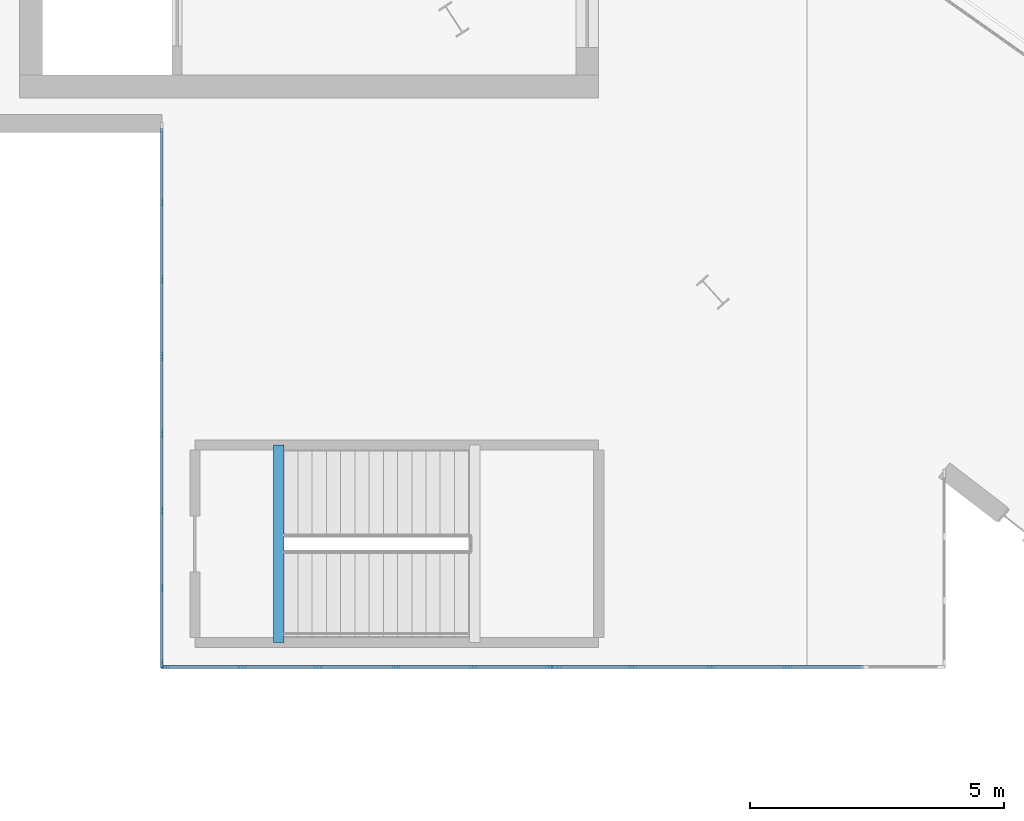
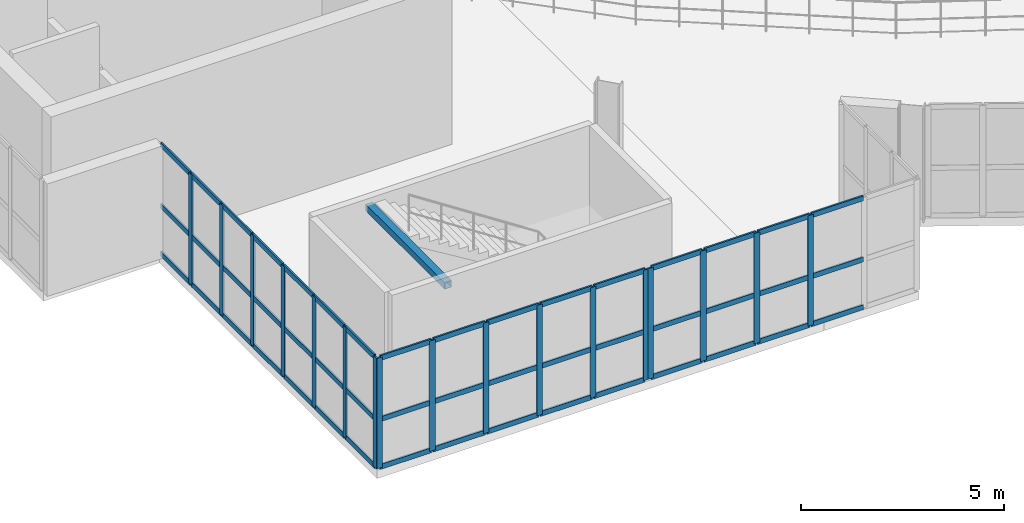
# One storey, part 7 of 40: 65 members, 1 beam, 3 elements without a shape of their own.
"""IFC4 building model written with IfcOpenShell, lengths in metres."""

from ifc_helpers import new_model, si_unit, direction, frame, origin, origin_2d, place, context, subcontext, project, spatial, rectangle, hollow_rectangle, extrude, material, material_profile, profile_set, type_object, element, aggregate, save


model = new_model("IFC4")

# Units and contexts
model_context = context("Model", 3, precision=1e-05, world=origin(), true_north=direction((0.0, 1.0)))
body_context = subcontext(model_context, "Body", "Model", "MODEL_VIEW")
ifc_project = project(units=[si_unit("LENGTHUNIT", "METRE"), si_unit("AREAUNIT", "SQUARE_METRE"), si_unit("VOLUMEUNIT", "CUBIC_METRE"), si_unit("PLANEANGLEUNIT", "RADIAN"), si_unit("MASSUNIT", "GRAM", prefix="KILO")], contexts=[model_context])

# Site, building, storey
site_placement = place(None, origin())
site = spatial("IfcSite", under=ifc_project, at=site_placement, CompositionType="ELEMENT")
building_placement = place(site_placement, origin())
building = spatial("IfcBuilding", under=site, at=building_placement, Name="Glasvene Arena", CompositionType="ELEMENT")
storey_placement = place(building_placement, frame((0.0, 0.0, 24.0)))
storey = spatial("IfcBuildingStorey", under=building, at=storey_placement, Name="L05", CompositionType="ELEMENT", Elevation=24.0)

# Beam
ifc_material_1 = material(Name="Steel S355J2", Category="steel")
ifc_material_profile_1 = material_profile(ifc_material_1, hollow_rectangle(XDim=0.199951171875, YDim=0.199951171875, WallThickness=0.010009765625, at=origin_2d()), Name="SHS 200x200x10.0")
ifc_profile_set_1 = profile_set([ifc_material_profile_1], Name="Steel S355J2")
beam_type = type_object("IfcBeamType", Name="BM-LINTEL-200", PredefinedType="LINTEL", material=ifc_profile_set_1)
beam_placement = place(storey_placement, frame((48.10009765625, 34.280029296875, 4.47998046875), z_axis=(0.0, 1.0, 0.0), x_axis=(-1.0, 0.0, 0.0)))
element("IfcBeam", 1, at=beam_placement, inside=storey, type_object=beam_type, Name="Roof stair arrival support beam ST-05", PredefinedType="LINTEL", context=body_context, shape_type="SweptSolid", body=[
    extrude(hollow_rectangle(XDim=0.199951171875, YDim=0.199951171875, WallThickness=0.010009765625, at=origin_2d()), origin(), (0.0, 0.0, 1.0), 3.889892578125),
])

# Curtain wall, members
ifc_material_2 = material(Name="Low-emissivity laminated double glazing", Category="glass")
curtain_wall_type_1 = type_object("IfcCurtainWallType", Name="CW-FAC-L05-1062x332", PredefinedType="USERDEFINED", material=ifc_material_2)
curtain_wall_1_placement = place(storey_placement, frame((45.800048828125, 33.840087890625, 0.0)))
curtain_wall_1 = element("IfcCurtainWall", 2, at=curtain_wall_1_placement, inside=storey, type_object=curtain_wall_type_1, Name="Unitised curtain wall CW-F-L05-150-458-392-0", ObjectType="CURTAIN WALL", PredefinedType="USERDEFINED")
ifc_material_3 = material(Name="Anodised architectural aluminium", Category="aluminium")
ifc_material_profile_2 = material_profile(ifc_material_3, rectangle(XDim=0.050048828125, YDim=0.159912109375, at=origin_2d()), Name="ALU MULLION 50x160")
ifc_profile_set_2 = profile_set([ifc_material_profile_2], Name="Anodised architectural aluminium")
member_type_1 = type_object("IfcMemberType", Name="CW-MUL-150", PredefinedType="MULLION", material=ifc_profile_set_2)
member_1_placement = place(storey_placement, frame((45.800048828125, 33.864990234375, 0.06005859375), z_axis=(0.0, 0.0, 1.0), x_axis=(-1.0, 0.0, 0.0)))
member_1 = element("IfcMember", 3, at=member_1_placement, type_object=member_type_1, Name="CW-054 mullion 1", PredefinedType="MULLION", context=body_context, shape_type="SweptSolid", body=[
    extrude(rectangle(XDim=0.050048828125, YDim=0.159912109375, at=origin_2d()), origin(), (0.0, 0.0, 1.0), 3.31982421875),
])
member_2_placement = place(storey_placement, frame((45.800048828125, 35.357177734375, 0.06005859375), z_axis=(0.0, 0.0, 1.0), x_axis=(-1.0, 0.0, 0.0)))
member_2 = element("IfcMember", 4, at=member_2_placement, type_object=member_type_1, Name="CW-054 mullion 2", PredefinedType="MULLION", context=body_context, shape_type="SweptSolid", body=[
    extrude(rectangle(XDim=0.050048828125, YDim=0.159912109375, at=origin_2d()), origin(), (0.0, 0.0, 1.0), 3.31982421875),
])
member_3_placement = place(storey_placement, frame((45.800048828125, 36.874267578125, 0.06005859375), z_axis=(0.0, 0.0, 1.0), x_axis=(-1.0, 0.0, 0.0)))
member_3 = element("IfcMember", 5, at=member_3_placement, type_object=member_type_1, Name="CW-054 mullion 3", PredefinedType="MULLION", context=body_context, shape_type="SweptSolid", body=[
    extrude(rectangle(XDim=0.050048828125, YDim=0.159912109375, at=origin_2d()), origin(), (0.0, 0.0, 1.0), 3.31982421875),
])
member_4_placement = place(storey_placement, frame((45.800048828125, 38.391357421875, 0.06005859375), z_axis=(0.0, 0.0, 1.0), x_axis=(-1.0, 0.0, 0.0)))
member_4 = element("IfcMember", 6, at=member_4_placement, type_object=member_type_1, Name="CW-054 mullion 4", PredefinedType="MULLION", context=body_context, shape_type="SweptSolid", body=[
    extrude(rectangle(XDim=0.050048828125, YDim=0.159912109375, at=origin_2d()), origin(), (0.0, 0.0, 1.0), 3.31982421875),
])
member_5_placement = place(storey_placement, frame((45.800048828125, 39.90869140625, 0.06005859375), z_axis=(0.0, 0.0, 1.0), x_axis=(-1.0, 0.0, 0.0)))
member_5 = element("IfcMember", 7, at=member_5_placement, type_object=member_type_1, Name="CW-054 mullion 5", PredefinedType="MULLION", context=body_context, shape_type="SweptSolid", body=[
    extrude(rectangle(XDim=0.050048828125, YDim=0.159912109375, at=origin_2d()), origin(), (0.0, 0.0, 1.0), 3.31982421875),
])
member_6_placement = place(storey_placement, frame((45.800048828125, 41.42578125, 0.06005859375), z_axis=(0.0, 0.0, 1.0), x_axis=(-1.0, 0.0, 0.0)))
member_6 = element("IfcMember", 8, at=member_6_placement, type_object=member_type_1, Name="CW-054 mullion 6", PredefinedType="MULLION", context=body_context, shape_type="SweptSolid", body=[
    extrude(rectangle(XDim=0.050048828125, YDim=0.159912109375, at=origin_2d()), origin(), (0.0, 0.0, 1.0), 3.31982421875),
])
member_7_placement = place(storey_placement, frame((45.800048828125, 42.94287109375, 0.06005859375), z_axis=(0.0, 0.0, 1.0), x_axis=(-1.0, 0.0, 0.0)))
member_7 = element("IfcMember", 9, at=member_7_placement, type_object=member_type_1, Name="CW-054 mullion 7", PredefinedType="MULLION", context=body_context, shape_type="SweptSolid", body=[
    extrude(rectangle(XDim=0.050048828125, YDim=0.159912109375, at=origin_2d()), origin(), (0.0, 0.0, 1.0), 3.31982421875),
])

curtain_wall_type_2 = type_object("IfcCurtainWallType", Name="CW-FAC-L05-762x332", PredefinedType="USERDEFINED", material=ifc_material_2)
curtain_wall_2_placement = place(storey_placement, frame((61.159912109375, 33.800048828125, 0.0)))
curtain_wall_2 = element("IfcCurtainWall", 10, at=curtain_wall_2_placement, inside=storey, type_object=curtain_wall_type_2, Name="Unitised curtain wall CW-F-L05-150-574-338-51", ObjectType="CURTAIN WALL", PredefinedType="USERDEFINED")
member_8_placement = place(storey_placement, frame((58.112060546875, 33.800048828125, 0.06005859375), z_axis=(0.0, 0.0, 1.0), x_axis=(0.0, -1.0, 0.0)))
member_8 = element("IfcMember", 11, at=member_8_placement, type_object=member_type_1, Name="CW-070 mullion 3", PredefinedType="MULLION", context=body_context, shape_type="SweptSolid", body=[
    extrude(rectangle(XDim=0.050048828125, YDim=0.159912109375, at=origin_2d()), origin(), (0.0, 0.0, 1.0), 3.31982421875),
])
member_9_placement = place(storey_placement, frame((56.587890625, 33.800048828125, 0.06005859375), z_axis=(0.0, 0.0, 1.0), x_axis=(0.0, -1.0, 0.0)))
member_9 = element("IfcMember", 12, at=member_9_placement, type_object=member_type_1, Name="CW-070 mullion 4", PredefinedType="MULLION", context=body_context, shape_type="SweptSolid", body=[
    extrude(rectangle(XDim=0.050048828125, YDim=0.159912109375, at=origin_2d()), origin(), (0.0, 0.0, 1.0), 3.31982421875),
])
member_10_placement = place(storey_placement, frame((55.06396484375, 33.800048828125, 0.06005859375), z_axis=(0.0, 0.0, 1.0), x_axis=(0.0, -1.0, 0.0)))
member_10 = element("IfcMember", 13, at=member_10_placement, type_object=member_type_1, Name="CW-070 mullion 5", PredefinedType="MULLION", context=body_context, shape_type="SweptSolid", body=[
    extrude(rectangle(XDim=0.050048828125, YDim=0.159912109375, at=origin_2d()), origin(), (0.0, 0.0, 1.0), 3.31982421875),
])
member_11_placement = place(storey_placement, frame((53.56494140625, 33.800048828125, 0.06005859375), z_axis=(0.0, 0.0, 1.0), x_axis=(0.0, -1.0, 0.0)))
member_11 = element("IfcMember", 14, at=member_11_placement, type_object=member_type_1, Name="CW-070 mullion 6", PredefinedType="MULLION", context=body_context, shape_type="SweptSolid", body=[
    extrude(rectangle(XDim=0.050048828125, YDim=0.159912109375, at=origin_2d()), origin(), (0.0, 0.0, 1.0), 3.31982421875),
])

curtain_wall_3_placement = place(storey_placement, frame((53.4599609375, 33.800048828125, 0.0)))
curtain_wall_3 = element("IfcCurtainWall", 15, at=curtain_wall_3_placement, inside=storey, type_object=curtain_wall_type_2, Name="Unitised curtain wall CW-F-L05-150-496-338-52", ObjectType="CURTAIN WALL", PredefinedType="USERDEFINED")
member_12_placement = place(storey_placement, frame((53.43505859375, 33.800048828125, 0.06005859375), z_axis=(0.0, 0.0, 1.0), x_axis=(0.0, -1.0, 0.0)))
member_12 = element("IfcMember", 16, at=member_12_placement, type_object=member_type_1, Name="CW-070 mullion 1", PredefinedType="MULLION", context=body_context, shape_type="SweptSolid", body=[
    extrude(rectangle(XDim=0.050048828125, YDim=0.159912109375, at=origin_2d()), origin(), (0.0, 0.0, 1.0), 3.31982421875),
])
member_13_placement = place(storey_placement, frame((51.93603515625, 33.800048828125, 0.06005859375), z_axis=(0.0, 0.0, 1.0), x_axis=(0.0, -1.0, 0.0)))
member_13 = element("IfcMember", 17, at=member_13_placement, type_object=member_type_1, Name="CW-070 mullion 2", PredefinedType="MULLION", context=body_context, shape_type="SweptSolid", body=[
    extrude(rectangle(XDim=0.050048828125, YDim=0.159912109375, at=origin_2d()), origin(), (0.0, 0.0, 1.0), 3.31982421875),
])
member_14_placement = place(storey_placement, frame((50.412109375, 33.800048828125, 0.06005859375), z_axis=(0.0, 0.0, 1.0), x_axis=(0.0, -1.0, 0.0)))
member_14 = element("IfcMember", 18, at=member_14_placement, type_object=member_type_1, Name="CW-070 mullion 3", PredefinedType="MULLION", context=body_context, shape_type="SweptSolid", body=[
    extrude(rectangle(XDim=0.050048828125, YDim=0.159912109375, at=origin_2d()), origin(), (0.0, 0.0, 1.0), 3.31982421875),
])
member_15_placement = place(storey_placement, frame((48.887939453125, 33.800048828125, 0.06005859375), z_axis=(0.0, 0.0, 1.0), x_axis=(0.0, -1.0, 0.0)))
member_15 = element("IfcMember", 19, at=member_15_placement, type_object=member_type_1, Name="CW-070 mullion 4", PredefinedType="MULLION", context=body_context, shape_type="SweptSolid", body=[
    extrude(rectangle(XDim=0.050048828125, YDim=0.159912109375, at=origin_2d()), origin(), (0.0, 0.0, 1.0), 3.31982421875),
])
member_16_placement = place(storey_placement, frame((47.364013671875, 33.800048828125, 0.06005859375), z_axis=(0.0, 0.0, 1.0), x_axis=(0.0, -1.0, 0.0)))
member_16 = element("IfcMember", 20, at=member_16_placement, type_object=member_type_1, Name="CW-070 mullion 5", PredefinedType="MULLION", context=body_context, shape_type="SweptSolid", body=[
    extrude(rectangle(XDim=0.050048828125, YDim=0.159912109375, at=origin_2d()), origin(), (0.0, 0.0, 1.0), 3.31982421875),
])
member_17_placement = place(storey_placement, frame((45.864990234375, 33.800048828125, 0.06005859375), z_axis=(0.0, 0.0, 1.0), x_axis=(0.0, -1.0, 0.0)))
member_17 = element("IfcMember", 21, at=member_17_placement, type_object=member_type_1, Name="CW-070 mullion 6", PredefinedType="MULLION", context=body_context, shape_type="SweptSolid", body=[
    extrude(rectangle(XDim=0.050048828125, YDim=0.159912109375, at=origin_2d()), origin(), (0.0, 0.0, 1.0), 3.31982421875),
])

# Member
ifc_material_profile_3 = material_profile(ifc_material_3, rectangle(XDim=0.050048828125, YDim=0.14990234375, at=origin_2d()), Name="ALU TRANSOM 50x150")
ifc_profile_set_3 = profile_set([ifc_material_profile_3], Name="Anodised architectural aluminium")
member_type_2 = type_object("IfcMemberType", Name="CW-TRN-150", PredefinedType="USERDEFINED", material=ifc_profile_set_3)
member_18_placement = place(storey_placement, frame((45.800048828125, 33.889892578125, 0.0849609375), z_axis=(0.0, 1.0, 0.0), x_axis=(-1.0, 0.0, 0.0)))
member_18 = element("IfcMember", 22, at=member_18_placement, type_object=member_type_2, Name="CW-054 transom 1.1", ObjectType="TRANSOM", PredefinedType="USERDEFINED", context=body_context, shape_type="SweptSolid", body=[
    extrude(rectangle(XDim=0.050048828125, YDim=0.14990234375, at=origin_2d()), origin(), (0.0, 0.0, 1.0), 1.442138671875),
])

member_19_placement = place(storey_placement, frame((45.800048828125, 33.889892578125, 1.52099609375), z_axis=(0.0, 1.0, 0.0), x_axis=(-1.0, 0.0, 0.0)))
member_19 = element("IfcMember", 23, at=member_19_placement, type_object=member_type_2, Name="CW-054 transom 1.2", ObjectType="TRANSOM", PredefinedType="USERDEFINED", context=body_context, shape_type="SweptSolid", body=[
    extrude(rectangle(XDim=0.050048828125, YDim=0.14990234375, at=origin_2d()), origin(), (0.0, 0.0, 1.0), 1.442138671875),
])

member_20_placement = place(storey_placement, frame((45.800048828125, 33.889892578125, 3.35498046875), z_axis=(0.0, 1.0, 0.0), x_axis=(-1.0, 0.0, 0.0)))
member_20 = element("IfcMember", 24, at=member_20_placement, type_object=member_type_2, Name="CW-054 transom 1.3", ObjectType="TRANSOM", PredefinedType="USERDEFINED", context=body_context, shape_type="SweptSolid", body=[
    extrude(rectangle(XDim=0.050048828125, YDim=0.14990234375, at=origin_2d()), origin(), (0.0, 0.0, 1.0), 1.442138671875),
])

member_21_placement = place(storey_placement, frame((45.800048828125, 35.382080078125, 0.0849609375), z_axis=(0.0, 1.0, 0.0), x_axis=(-1.0, 0.0, 0.0)))
member_21 = element("IfcMember", 25, at=member_21_placement, type_object=member_type_2, Name="CW-054 transom 2.1", ObjectType="TRANSOM", PredefinedType="USERDEFINED", context=body_context, shape_type="SweptSolid", body=[
    extrude(rectangle(XDim=0.050048828125, YDim=0.14990234375, at=origin_2d()), origin(), (0.0, 0.0, 1.0), 1.46728515625),
])

member_22_placement = place(storey_placement, frame((45.800048828125, 35.382080078125, 1.52099609375), z_axis=(0.0, 1.0, 0.0), x_axis=(-1.0, 0.0, 0.0)))
member_22 = element("IfcMember", 26, at=member_22_placement, type_object=member_type_2, Name="CW-054 transom 2.2", ObjectType="TRANSOM", PredefinedType="USERDEFINED", context=body_context, shape_type="SweptSolid", body=[
    extrude(rectangle(XDim=0.050048828125, YDim=0.14990234375, at=origin_2d()), origin(), (0.0, 0.0, 1.0), 1.46728515625),
])

member_23_placement = place(storey_placement, frame((45.800048828125, 35.382080078125, 3.35498046875), z_axis=(0.0, 1.0, 0.0), x_axis=(-1.0, 0.0, 0.0)))
member_23 = element("IfcMember", 27, at=member_23_placement, type_object=member_type_2, Name="CW-054 transom 2.3", ObjectType="TRANSOM", PredefinedType="USERDEFINED", context=body_context, shape_type="SweptSolid", body=[
    extrude(rectangle(XDim=0.050048828125, YDim=0.14990234375, at=origin_2d()), origin(), (0.0, 0.0, 1.0), 1.46728515625),
])

member_24_placement = place(storey_placement, frame((45.800048828125, 36.899169921875, 0.0849609375), z_axis=(0.0, 1.0, 0.0), x_axis=(-1.0, 0.0, 0.0)))
member_24 = element("IfcMember", 28, at=member_24_placement, type_object=member_type_2, Name="CW-054 transom 3.1", ObjectType="TRANSOM", PredefinedType="USERDEFINED", context=body_context, shape_type="SweptSolid", body=[
    extrude(rectangle(XDim=0.050048828125, YDim=0.14990234375, at=origin_2d()), origin(), (0.0, 0.0, 1.0), 1.46728515625),
])

member_25_placement = place(storey_placement, frame((45.800048828125, 36.899169921875, 1.52099609375), z_axis=(0.0, 1.0, 0.0), x_axis=(-1.0, 0.0, 0.0)))
member_25 = element("IfcMember", 29, at=member_25_placement, type_object=member_type_2, Name="CW-054 transom 3.2", ObjectType="TRANSOM", PredefinedType="USERDEFINED", context=body_context, shape_type="SweptSolid", body=[
    extrude(rectangle(XDim=0.050048828125, YDim=0.14990234375, at=origin_2d()), origin(), (0.0, 0.0, 1.0), 1.46728515625),
])

member_26_placement = place(storey_placement, frame((45.800048828125, 36.899169921875, 3.35498046875), z_axis=(0.0, 1.0, 0.0), x_axis=(-1.0, 0.0, 0.0)))
member_26 = element("IfcMember", 30, at=member_26_placement, type_object=member_type_2, Name="CW-054 transom 3.3", ObjectType="TRANSOM", PredefinedType="USERDEFINED", context=body_context, shape_type="SweptSolid", body=[
    extrude(rectangle(XDim=0.050048828125, YDim=0.14990234375, at=origin_2d()), origin(), (0.0, 0.0, 1.0), 1.46728515625),
])

member_27_placement = place(storey_placement, frame((45.800048828125, 38.41650390625, 0.0849609375), z_axis=(0.0, 1.0, 0.0), x_axis=(-1.0, 0.0, 0.0)))
member_27 = element("IfcMember", 31, at=member_27_placement, type_object=member_type_2, Name="CW-054 transom 4.1", ObjectType="TRANSOM", PredefinedType="USERDEFINED", context=body_context, shape_type="SweptSolid", body=[
    extrude(rectangle(XDim=0.050048828125, YDim=0.14990234375, at=origin_2d()), origin(), (0.0, 0.0, 1.0), 1.467041015625),
])

member_28_placement = place(storey_placement, frame((45.800048828125, 38.41650390625, 1.52099609375), z_axis=(0.0, 1.0, 0.0), x_axis=(-1.0, 0.0, 0.0)))
member_28 = element("IfcMember", 32, at=member_28_placement, type_object=member_type_2, Name="CW-054 transom 4.2", ObjectType="TRANSOM", PredefinedType="USERDEFINED", context=body_context, shape_type="SweptSolid", body=[
    extrude(rectangle(XDim=0.050048828125, YDim=0.14990234375, at=origin_2d()), origin(), (0.0, 0.0, 1.0), 1.467041015625),
])

member_29_placement = place(storey_placement, frame((45.800048828125, 38.41650390625, 3.35498046875), z_axis=(0.0, 1.0, 0.0), x_axis=(-1.0, 0.0, 0.0)))
member_29 = element("IfcMember", 33, at=member_29_placement, type_object=member_type_2, Name="CW-054 transom 4.3", ObjectType="TRANSOM", PredefinedType="USERDEFINED", context=body_context, shape_type="SweptSolid", body=[
    extrude(rectangle(XDim=0.050048828125, YDim=0.14990234375, at=origin_2d()), origin(), (0.0, 0.0, 1.0), 1.467041015625),
])

member_30_placement = place(storey_placement, frame((45.800048828125, 39.93359375, 0.0849609375), z_axis=(0.0, 1.0, 0.0), x_axis=(-1.0, 0.0, 0.0)))
member_30 = element("IfcMember", 34, at=member_30_placement, type_object=member_type_2, Name="CW-054 transom 5.1", ObjectType="TRANSOM", PredefinedType="USERDEFINED", context=body_context, shape_type="SweptSolid", body=[
    extrude(rectangle(XDim=0.050048828125, YDim=0.14990234375, at=origin_2d()), origin(), (0.0, 0.0, 1.0), 1.467041015625),
])

member_31_placement = place(storey_placement, frame((45.800048828125, 39.93359375, 1.52099609375), z_axis=(0.0, 1.0, 0.0), x_axis=(-1.0, 0.0, 0.0)))
member_31 = element("IfcMember", 35, at=member_31_placement, type_object=member_type_2, Name="CW-054 transom 5.2", ObjectType="TRANSOM", PredefinedType="USERDEFINED", context=body_context, shape_type="SweptSolid", body=[
    extrude(rectangle(XDim=0.050048828125, YDim=0.14990234375, at=origin_2d()), origin(), (0.0, 0.0, 1.0), 1.467041015625),
])

member_32_placement = place(storey_placement, frame((45.800048828125, 39.93359375, 3.35498046875), z_axis=(0.0, 1.0, 0.0), x_axis=(-1.0, 0.0, 0.0)))
member_32 = element("IfcMember", 36, at=member_32_placement, type_object=member_type_2, Name="CW-054 transom 5.3", ObjectType="TRANSOM", PredefinedType="USERDEFINED", context=body_context, shape_type="SweptSolid", body=[
    extrude(rectangle(XDim=0.050048828125, YDim=0.14990234375, at=origin_2d()), origin(), (0.0, 0.0, 1.0), 1.467041015625),
])

member_33_placement = place(storey_placement, frame((45.800048828125, 41.45068359375, 0.0849609375), z_axis=(0.0, 1.0, 0.0), x_axis=(-1.0, 0.0, 0.0)))
member_33 = element("IfcMember", 37, at=member_33_placement, type_object=member_type_2, Name="CW-054 transom 6.1", ObjectType="TRANSOM", PredefinedType="USERDEFINED", context=body_context, shape_type="SweptSolid", body=[
    extrude(rectangle(XDim=0.050048828125, YDim=0.14990234375, at=origin_2d()), origin(), (0.0, 0.0, 1.0), 1.46728515625),
])

member_34_placement = place(storey_placement, frame((45.800048828125, 41.45068359375, 1.52099609375), z_axis=(0.0, 1.0, 0.0), x_axis=(-1.0, 0.0, 0.0)))
member_34 = element("IfcMember", 38, at=member_34_placement, type_object=member_type_2, Name="CW-054 transom 6.2", ObjectType="TRANSOM", PredefinedType="USERDEFINED", context=body_context, shape_type="SweptSolid", body=[
    extrude(rectangle(XDim=0.050048828125, YDim=0.14990234375, at=origin_2d()), origin(), (0.0, 0.0, 1.0), 1.46728515625),
])

member_35_placement = place(storey_placement, frame((45.800048828125, 41.45068359375, 3.35498046875), z_axis=(0.0, 1.0, 0.0), x_axis=(-1.0, 0.0, 0.0)))
member_35 = element("IfcMember", 39, at=member_35_placement, type_object=member_type_2, Name="CW-054 transom 6.3", ObjectType="TRANSOM", PredefinedType="USERDEFINED", context=body_context, shape_type="SweptSolid", body=[
    extrude(rectangle(XDim=0.050048828125, YDim=0.14990234375, at=origin_2d()), origin(), (0.0, 0.0, 1.0), 1.46728515625),
])

member_36_placement = place(storey_placement, frame((45.800048828125, 42.9677734375, 0.0849609375), z_axis=(0.0, 1.0, 0.0), x_axis=(-1.0, 0.0, 0.0)))
member_36 = element("IfcMember", 40, at=member_36_placement, type_object=member_type_2, Name="CW-054 transom 7.1", ObjectType="TRANSOM", PredefinedType="USERDEFINED", context=body_context, shape_type="SweptSolid", body=[
    extrude(rectangle(XDim=0.050048828125, YDim=0.14990234375, at=origin_2d()), origin(), (0.0, 0.0, 1.0), 1.442138671875),
])

member_37_placement = place(storey_placement, frame((45.800048828125, 42.9677734375, 1.52099609375), z_axis=(0.0, 1.0, 0.0), x_axis=(-1.0, 0.0, 0.0)))
member_37 = element("IfcMember", 41, at=member_37_placement, type_object=member_type_2, Name="CW-054 transom 7.2", ObjectType="TRANSOM", PredefinedType="USERDEFINED", context=body_context, shape_type="SweptSolid", body=[
    extrude(rectangle(XDim=0.050048828125, YDim=0.14990234375, at=origin_2d()), origin(), (0.0, 0.0, 1.0), 1.442138671875),
])

member_38_placement = place(storey_placement, frame((45.800048828125, 42.9677734375, 3.35498046875), z_axis=(0.0, 1.0, 0.0), x_axis=(-1.0, 0.0, 0.0)))
member_38 = element("IfcMember", 42, at=member_38_placement, type_object=member_type_2, Name="CW-054 transom 7.3", ObjectType="TRANSOM", PredefinedType="USERDEFINED", context=body_context, shape_type="SweptSolid", body=[
    extrude(rectangle(XDim=0.050048828125, YDim=0.14990234375, at=origin_2d()), origin(), (0.0, 0.0, 1.0), 1.442138671875),
])

aggregate(curtain_wall_1, [member_1, member_2, member_3, member_4, member_5, member_6, member_7, member_18, member_19, member_20, member_21, member_22, member_23, member_24, member_25, member_26, member_27, member_28, member_29, member_30, member_31, member_32, member_33, member_34, member_35, member_36, member_37, member_38])

member_39_placement = place(storey_placement, frame((59.611083984375, 33.800048828125, 0.0849609375), z_axis=(-1.0, 0.0, 0.0), x_axis=(0.0, -1.0, 0.0)))
member_39 = element("IfcMember", 43, at=member_39_placement, type_object=member_type_2, Name="CW-070 transom 2.1", ObjectType="TRANSOM", PredefinedType="USERDEFINED", context=body_context, shape_type="SweptSolid", body=[
    extrude(rectangle(XDim=0.050048828125, YDim=0.14990234375, at=origin_2d()), origin(), (0.0, 0.0, 1.0), 1.47412109375),
])

member_40_placement = place(storey_placement, frame((59.611083984375, 33.800048828125, 1.52099609375), z_axis=(-1.0, 0.0, 0.0), x_axis=(0.0, -1.0, 0.0)))
member_40 = element("IfcMember", 44, at=member_40_placement, type_object=member_type_2, Name="CW-070 transom 2.2", ObjectType="TRANSOM", PredefinedType="USERDEFINED", context=body_context, shape_type="SweptSolid", body=[
    extrude(rectangle(XDim=0.050048828125, YDim=0.14990234375, at=origin_2d()), origin(), (0.0, 0.0, 1.0), 1.47412109375),
])

member_41_placement = place(storey_placement, frame((59.611083984375, 33.800048828125, 3.35498046875), z_axis=(-1.0, 0.0, 0.0), x_axis=(0.0, -1.0, 0.0)))
member_41 = element("IfcMember", 45, at=member_41_placement, type_object=member_type_2, Name="CW-070 transom 2.3", ObjectType="TRANSOM", PredefinedType="USERDEFINED", context=body_context, shape_type="SweptSolid", body=[
    extrude(rectangle(XDim=0.050048828125, YDim=0.14990234375, at=origin_2d()), origin(), (0.0, 0.0, 1.0), 1.47412109375),
])

member_42_placement = place(storey_placement, frame((58.0869140625, 33.800048828125, 0.0849609375), z_axis=(-1.0, 0.0, 0.0), x_axis=(0.0, -1.0, 0.0)))
member_42 = element("IfcMember", 46, at=member_42_placement, type_object=member_type_2, Name="CW-070 transom 3.1", ObjectType="TRANSOM", PredefinedType="USERDEFINED", context=body_context, shape_type="SweptSolid", body=[
    extrude(rectangle(XDim=0.050048828125, YDim=0.14990234375, at=origin_2d()), origin(), (0.0, 0.0, 1.0), 1.473876953125),
])

member_43_placement = place(storey_placement, frame((58.0869140625, 33.800048828125, 1.52099609375), z_axis=(-1.0, 0.0, 0.0), x_axis=(0.0, -1.0, 0.0)))
member_43 = element("IfcMember", 47, at=member_43_placement, type_object=member_type_2, Name="CW-070 transom 3.2", ObjectType="TRANSOM", PredefinedType="USERDEFINED", context=body_context, shape_type="SweptSolid", body=[
    extrude(rectangle(XDim=0.050048828125, YDim=0.14990234375, at=origin_2d()), origin(), (0.0, 0.0, 1.0), 1.473876953125),
])

member_44_placement = place(storey_placement, frame((58.0869140625, 33.800048828125, 3.35498046875), z_axis=(-1.0, 0.0, 0.0), x_axis=(0.0, -1.0, 0.0)))
member_44 = element("IfcMember", 48, at=member_44_placement, type_object=member_type_2, Name="CW-070 transom 3.3", ObjectType="TRANSOM", PredefinedType="USERDEFINED", context=body_context, shape_type="SweptSolid", body=[
    extrude(rectangle(XDim=0.050048828125, YDim=0.14990234375, at=origin_2d()), origin(), (0.0, 0.0, 1.0), 1.473876953125),
])

member_45_placement = place(storey_placement, frame((56.56298828125, 33.800048828125, 0.0849609375), z_axis=(-1.0, 0.0, 0.0), x_axis=(0.0, -1.0, 0.0)))
member_45 = element("IfcMember", 49, at=member_45_placement, type_object=member_type_2, Name="CW-070 transom 4.1", ObjectType="TRANSOM", PredefinedType="USERDEFINED", context=body_context, shape_type="SweptSolid", body=[
    extrude(rectangle(XDim=0.050048828125, YDim=0.14990234375, at=origin_2d()), origin(), (0.0, 0.0, 1.0), 1.473876953125),
])

member_46_placement = place(storey_placement, frame((56.56298828125, 33.800048828125, 1.52099609375), z_axis=(-1.0, 0.0, 0.0), x_axis=(0.0, -1.0, 0.0)))
member_46 = element("IfcMember", 50, at=member_46_placement, type_object=member_type_2, Name="CW-070 transom 4.2", ObjectType="TRANSOM", PredefinedType="USERDEFINED", context=body_context, shape_type="SweptSolid", body=[
    extrude(rectangle(XDim=0.050048828125, YDim=0.14990234375, at=origin_2d()), origin(), (0.0, 0.0, 1.0), 1.473876953125),
])

member_47_placement = place(storey_placement, frame((56.56298828125, 33.800048828125, 3.35498046875), z_axis=(-1.0, 0.0, 0.0), x_axis=(0.0, -1.0, 0.0)))
member_47 = element("IfcMember", 51, at=member_47_placement, type_object=member_type_2, Name="CW-070 transom 4.3", ObjectType="TRANSOM", PredefinedType="USERDEFINED", context=body_context, shape_type="SweptSolid", body=[
    extrude(rectangle(XDim=0.050048828125, YDim=0.14990234375, at=origin_2d()), origin(), (0.0, 0.0, 1.0), 1.473876953125),
])

member_48_placement = place(storey_placement, frame((55.0390625, 33.800048828125, 0.0849609375), z_axis=(-1.0, 0.0, 0.0), x_axis=(0.0, -1.0, 0.0)))
member_48 = element("IfcMember", 52, at=member_48_placement, type_object=member_type_2, Name="CW-070 transom 5.1", ObjectType="TRANSOM", PredefinedType="USERDEFINED", context=body_context, shape_type="SweptSolid", body=[
    extrude(rectangle(XDim=0.050048828125, YDim=0.14990234375, at=origin_2d()), origin(), (0.0, 0.0, 1.0), 1.448974609375),
])

member_49_placement = place(storey_placement, frame((55.0390625, 33.800048828125, 1.52099609375), z_axis=(-1.0, 0.0, 0.0), x_axis=(0.0, -1.0, 0.0)))
member_49 = element("IfcMember", 53, at=member_49_placement, type_object=member_type_2, Name="CW-070 transom 5.2", ObjectType="TRANSOM", PredefinedType="USERDEFINED", context=body_context, shape_type="SweptSolid", body=[
    extrude(rectangle(XDim=0.050048828125, YDim=0.14990234375, at=origin_2d()), origin(), (0.0, 0.0, 1.0), 1.448974609375),
])

member_50_placement = place(storey_placement, frame((55.0390625, 33.800048828125, 3.35498046875), z_axis=(-1.0, 0.0, 0.0), x_axis=(0.0, -1.0, 0.0)))
member_50 = element("IfcMember", 54, at=member_50_placement, type_object=member_type_2, Name="CW-070 transom 5.3", ObjectType="TRANSOM", PredefinedType="USERDEFINED", context=body_context, shape_type="SweptSolid", body=[
    extrude(rectangle(XDim=0.050048828125, YDim=0.14990234375, at=origin_2d()), origin(), (0.0, 0.0, 1.0), 1.448974609375),
])

aggregate(curtain_wall_2, [member_8, member_9, member_10, member_11, member_39, member_40, member_41, member_42, member_43, member_44, member_45, member_46, member_47, member_48, member_49, member_50])

member_51_placement = place(storey_placement, frame((53.409912109375, 33.800048828125, 0.0849609375), z_axis=(-1.0, 0.0, 0.0), x_axis=(0.0, -1.0, 0.0)))
member_51 = element("IfcMember", 55, at=member_51_placement, type_object=member_type_2, Name="CW-070 transom 1.1", ObjectType="TRANSOM", PredefinedType="USERDEFINED", context=body_context, shape_type="SweptSolid", body=[
    extrude(rectangle(XDim=0.050048828125, YDim=0.14990234375, at=origin_2d()), origin(), (0.0, 0.0, 1.0), 1.448974609375),
])

member_52_placement = place(storey_placement, frame((53.409912109375, 33.800048828125, 1.52099609375), z_axis=(-1.0, 0.0, 0.0), x_axis=(0.0, -1.0, 0.0)))
member_52 = element("IfcMember", 56, at=member_52_placement, type_object=member_type_2, Name="CW-070 transom 1.2", ObjectType="TRANSOM", PredefinedType="USERDEFINED", context=body_context, shape_type="SweptSolid", body=[
    extrude(rectangle(XDim=0.050048828125, YDim=0.14990234375, at=origin_2d()), origin(), (0.0, 0.0, 1.0), 1.448974609375),
])

member_53_placement = place(storey_placement, frame((53.409912109375, 33.800048828125, 3.35498046875), z_axis=(-1.0, 0.0, 0.0), x_axis=(0.0, -1.0, 0.0)))
member_53 = element("IfcMember", 57, at=member_53_placement, type_object=member_type_2, Name="CW-070 transom 1.3", ObjectType="TRANSOM", PredefinedType="USERDEFINED", context=body_context, shape_type="SweptSolid", body=[
    extrude(rectangle(XDim=0.050048828125, YDim=0.14990234375, at=origin_2d()), origin(), (0.0, 0.0, 1.0), 1.448974609375),
])

member_54_placement = place(storey_placement, frame((51.910888671875, 33.800048828125, 0.0849609375), z_axis=(-1.0, 0.0, 0.0), x_axis=(0.0, -1.0, 0.0)))
member_54 = element("IfcMember", 58, at=member_54_placement, type_object=member_type_2, Name="CW-070 transom 2.1", ObjectType="TRANSOM", PredefinedType="USERDEFINED", context=body_context, shape_type="SweptSolid", body=[
    extrude(rectangle(XDim=0.050048828125, YDim=0.14990234375, at=origin_2d()), origin(), (0.0, 0.0, 1.0), 1.473876953125),
])

member_55_placement = place(storey_placement, frame((51.910888671875, 33.800048828125, 1.52099609375), z_axis=(-1.0, 0.0, 0.0), x_axis=(0.0, -1.0, 0.0)))
member_55 = element("IfcMember", 59, at=member_55_placement, type_object=member_type_2, Name="CW-070 transom 2.2", ObjectType="TRANSOM", PredefinedType="USERDEFINED", context=body_context, shape_type="SweptSolid", body=[
    extrude(rectangle(XDim=0.050048828125, YDim=0.14990234375, at=origin_2d()), origin(), (0.0, 0.0, 1.0), 1.473876953125),
])

member_56_placement = place(storey_placement, frame((51.910888671875, 33.800048828125, 3.35498046875), z_axis=(-1.0, 0.0, 0.0), x_axis=(0.0, -1.0, 0.0)))
member_56 = element("IfcMember", 60, at=member_56_placement, type_object=member_type_2, Name="CW-070 transom 2.3", ObjectType="TRANSOM", PredefinedType="USERDEFINED", context=body_context, shape_type="SweptSolid", body=[
    extrude(rectangle(XDim=0.050048828125, YDim=0.14990234375, at=origin_2d()), origin(), (0.0, 0.0, 1.0), 1.473876953125),
])

member_57_placement = place(storey_placement, frame((50.386962890625, 33.800048828125, 0.0849609375), z_axis=(-1.0, 0.0, 0.0), x_axis=(0.0, -1.0, 0.0)))
member_57 = element("IfcMember", 61, at=member_57_placement, type_object=member_type_2, Name="CW-070 transom 3.1", ObjectType="TRANSOM", PredefinedType="USERDEFINED", context=body_context, shape_type="SweptSolid", body=[
    extrude(rectangle(XDim=0.050048828125, YDim=0.14990234375, at=origin_2d()), origin(), (0.0, 0.0, 1.0), 1.473876953125),
])

member_58_placement = place(storey_placement, frame((50.386962890625, 33.800048828125, 1.52099609375), z_axis=(-1.0, 0.0, 0.0), x_axis=(0.0, -1.0, 0.0)))
member_58 = element("IfcMember", 62, at=member_58_placement, type_object=member_type_2, Name="CW-070 transom 3.2", ObjectType="TRANSOM", PredefinedType="USERDEFINED", context=body_context, shape_type="SweptSolid", body=[
    extrude(rectangle(XDim=0.050048828125, YDim=0.14990234375, at=origin_2d()), origin(), (0.0, 0.0, 1.0), 1.473876953125),
])

member_59_placement = place(storey_placement, frame((50.386962890625, 33.800048828125, 3.35498046875), z_axis=(-1.0, 0.0, 0.0), x_axis=(0.0, -1.0, 0.0)))
member_59 = element("IfcMember", 63, at=member_59_placement, type_object=member_type_2, Name="CW-070 transom 3.3", ObjectType="TRANSOM", PredefinedType="USERDEFINED", context=body_context, shape_type="SweptSolid", body=[
    extrude(rectangle(XDim=0.050048828125, YDim=0.14990234375, at=origin_2d()), origin(), (0.0, 0.0, 1.0), 1.473876953125),
])

member_60_placement = place(storey_placement, frame((48.863037109375, 33.800048828125, 0.0849609375), z_axis=(-1.0, 0.0, 0.0), x_axis=(0.0, -1.0, 0.0)))
member_60 = element("IfcMember", 64, at=member_60_placement, type_object=member_type_2, Name="CW-070 transom 4.1", ObjectType="TRANSOM", PredefinedType="USERDEFINED", context=body_context, shape_type="SweptSolid", body=[
    extrude(rectangle(XDim=0.050048828125, YDim=0.14990234375, at=origin_2d()), origin(), (0.0, 0.0, 1.0), 1.47412109375),
])

member_61_placement = place(storey_placement, frame((48.863037109375, 33.800048828125, 1.52099609375), z_axis=(-1.0, 0.0, 0.0), x_axis=(0.0, -1.0, 0.0)))
member_61 = element("IfcMember", 65, at=member_61_placement, type_object=member_type_2, Name="CW-070 transom 4.2", ObjectType="TRANSOM", PredefinedType="USERDEFINED", context=body_context, shape_type="SweptSolid", body=[
    extrude(rectangle(XDim=0.050048828125, YDim=0.14990234375, at=origin_2d()), origin(), (0.0, 0.0, 1.0), 1.47412109375),
])

member_62_placement = place(storey_placement, frame((48.863037109375, 33.800048828125, 3.35498046875), z_axis=(-1.0, 0.0, 0.0), x_axis=(0.0, -1.0, 0.0)))
member_62 = element("IfcMember", 66, at=member_62_placement, type_object=member_type_2, Name="CW-070 transom 4.3", ObjectType="TRANSOM", PredefinedType="USERDEFINED", context=body_context, shape_type="SweptSolid", body=[
    extrude(rectangle(XDim=0.050048828125, YDim=0.14990234375, at=origin_2d()), origin(), (0.0, 0.0, 1.0), 1.47412109375),
])

member_63_placement = place(storey_placement, frame((47.339111328125, 33.800048828125, 0.0849609375), z_axis=(-1.0, 0.0, 0.0), x_axis=(0.0, -1.0, 0.0)))
member_63 = element("IfcMember", 67, at=member_63_placement, type_object=member_type_2, Name="CW-070 transom 5.1", ObjectType="TRANSOM", PredefinedType="USERDEFINED", context=body_context, shape_type="SweptSolid", body=[
    extrude(rectangle(XDim=0.050048828125, YDim=0.14990234375, at=origin_2d()), origin(), (0.0, 0.0, 1.0), 1.44921875),
])

member_64_placement = place(storey_placement, frame((47.339111328125, 33.800048828125, 1.52099609375), z_axis=(-1.0, 0.0, 0.0), x_axis=(0.0, -1.0, 0.0)))
member_64 = element("IfcMember", 68, at=member_64_placement, type_object=member_type_2, Name="CW-070 transom 5.2", ObjectType="TRANSOM", PredefinedType="USERDEFINED", context=body_context, shape_type="SweptSolid", body=[
    extrude(rectangle(XDim=0.050048828125, YDim=0.14990234375, at=origin_2d()), origin(), (0.0, 0.0, 1.0), 1.44921875),
])

member_65_placement = place(storey_placement, frame((47.339111328125, 33.800048828125, 3.35498046875), z_axis=(-1.0, 0.0, 0.0), x_axis=(0.0, -1.0, 0.0)))
member_65 = element("IfcMember", 69, at=member_65_placement, type_object=member_type_2, Name="CW-070 transom 5.3", ObjectType="TRANSOM", PredefinedType="USERDEFINED", context=body_context, shape_type="SweptSolid", body=[
    extrude(rectangle(XDim=0.050048828125, YDim=0.14990234375, at=origin_2d()), origin(), (0.0, 0.0, 1.0), 1.44921875),
])

aggregate(curtain_wall_3, [member_12, member_13, member_14, member_15, member_16, member_17, member_51, member_52, member_53, member_54, member_55, member_56, member_57, member_58, member_59, member_60, member_61, member_62, member_63, member_64, member_65])

save(model, "model.ifc")
